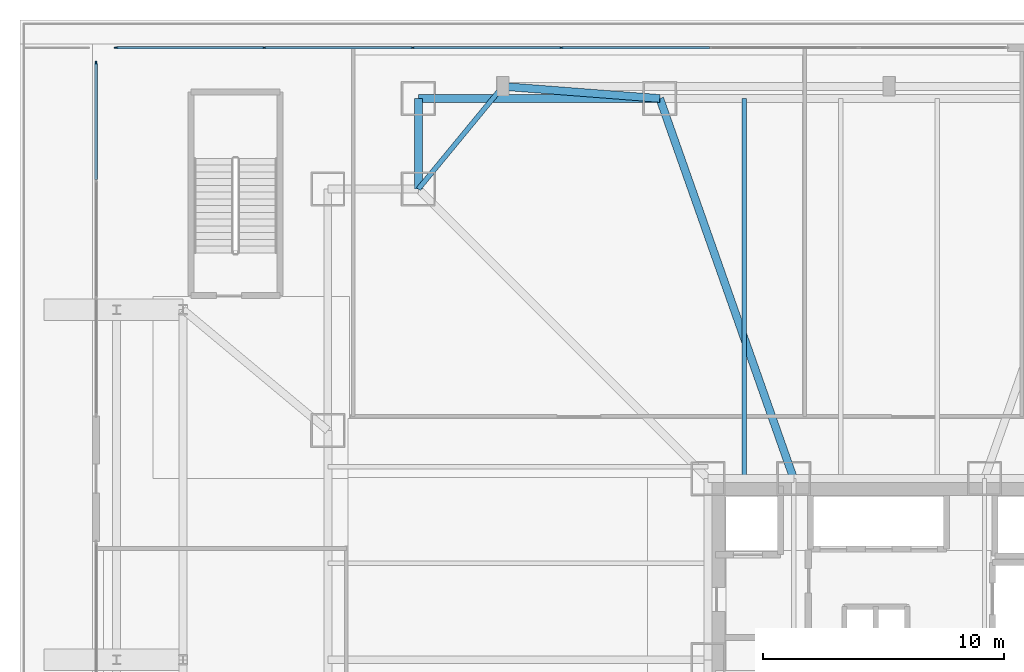
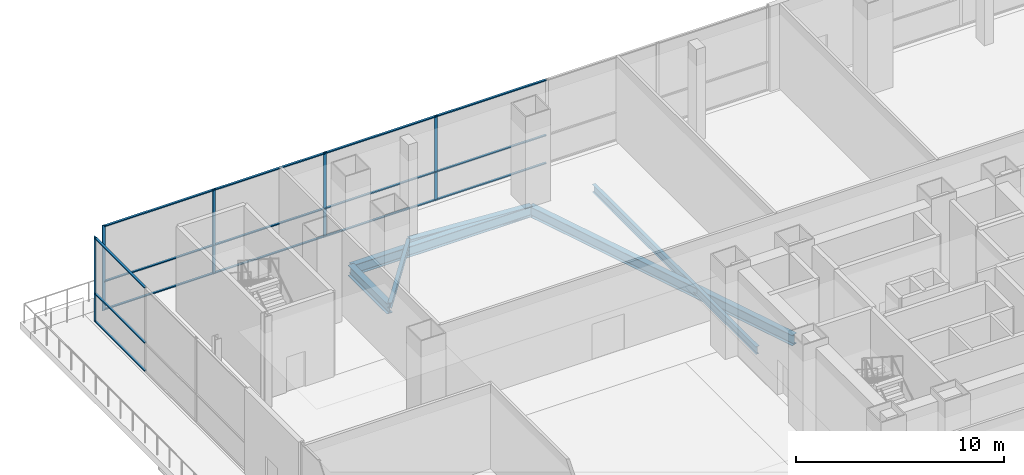
# One storey, part 13 of 36: 20 members, 6 beams, 2 elements without a shape of their own.
"""IFC4 building model written with IfcOpenShell, lengths in metres."""

from ifc_helpers import new_model, si_unit, direction, frame, origin, origin_2d, place, context, subcontext, project, spatial, rectangle, i_section, extrude, material, layer, layer_set, material_profile, profile_set, type_object, element, aggregate, save


model = new_model("IFC4")

# Units and contexts
model_context = context("Model", 3, precision=1e-05, world=origin(), true_north=direction((0.0, 1.0)))
body_context = subcontext(model_context, "Body", "Model", "MODEL_VIEW")
ifc_project = project(units=[si_unit("LENGTHUNIT", "METRE"), si_unit("AREAUNIT", "SQUARE_METRE"), si_unit("VOLUMEUNIT", "CUBIC_METRE"), si_unit("PLANEANGLEUNIT", "RADIAN"), si_unit("MASSUNIT", "GRAM", prefix="KILO")], contexts=[model_context])

# Site, building, storey
site_placement = place(None, origin())
site = spatial("IfcSite", under=ifc_project, at=site_placement, CompositionType="ELEMENT")
building_placement = place(site_placement, origin())
building = spatial("IfcBuilding", under=site, at=building_placement, Name="Trevonay Congress Spire", CompositionType="ELEMENT")
storey_placement = place(building_placement, frame((0.0, 0.0, 16.199951171875)))
storey = spatial("IfcBuildingStorey", under=building, at=storey_placement, Name="L03", CompositionType="ELEMENT", Elevation=16.199951171875)

# Beams
ifc_material_1 = material(Name="Steel ASTM A572 Grade 50", Category="steel")
ifc_material_profile_1 = material_profile(ifc_material_1, i_section(OverallWidth=0.324951171875, OverallDepth=0.615966796875, WebThickness=0.013916015625, FlangeThickness=0.021484375, FilletRadius=0.01806640625, at=origin_2d()), Name="W610x174")
ifc_profile_set_1 = profile_set([ifc_material_profile_1], Name="Steel ASTM A572 Grade 50")
beam_type_1 = type_object("IfcBeamType", Name="BM-GIRD-W610X174", PredefinedType="BEAM", material=ifc_profile_set_1)
beam_1_placement = place(storey_placement, frame((-19.5, 23.25, -0.7080078125), z_axis=(1.0, 0.0, 0.0), x_axis=(0.0, 1.0, 0.0)))
element("IfcBeam", 1, at=beam_1_placement, inside=storey, type_object=beam_type_1, Name="L03 structural beam BM-L03-MN1", PredefinedType="BEAM", context=body_context, shape_type="SweptSolid", body=[
    extrude(i_section(OverallWidth=0.324951171875, OverallDepth=0.615966796875, WebThickness=0.013916015625, FlangeThickness=0.021484375, FilletRadius=0.01806640625, at=origin_2d()), origin(), (0.0, 0.0, 1.0), 10.0),
])
beam_2_placement = place(storey_placement, frame((-19.5, 23.25, -0.7080078125), z_axis=(0.0, -1.0, 0.0), x_axis=(1.0, 0.0, 0.0)))
element("IfcBeam", 2, at=beam_2_placement, inside=storey, type_object=beam_type_1, Name="L03 structural beam BM-L03-CNW", PredefinedType="BEAM", context=body_context, shape_type="SweptSolid", body=[
    extrude(i_section(OverallWidth=0.324951171875, OverallDepth=0.615966796875, WebThickness=0.013916015625, FlangeThickness=0.021484375, FilletRadius=0.01806640625, at=origin_2d()), origin(), (0.0, 0.0, 1.0), 3.75),
])
beam_3_placement = place(storey_placement, frame((-3.949951171875, 7.5, -0.7080078125), z_axis=(-0.332352826786, 0.943155129619, 0.0), x_axis=(-0.943155129619, -0.332352826786, 0.0)))
element("IfcBeam", 3, at=beam_3_placement, inside=storey, type_object=beam_type_1, Name="L03 structural beam BM-L03-RAD-N1", PredefinedType="BEAM", context=body_context, shape_type="SweptSolid", body=[
    extrude(i_section(OverallWidth=0.324951171875, OverallDepth=0.615966796875, WebThickness=0.013916015625, FlangeThickness=0.021484375, FilletRadius=0.01806640625, at=origin_2d()), origin(), (0.0, 0.0, 1.0), 16.69921875),
])
beam_4_placement = place(storey_placement, frame((-9.5, 23.25, -0.7080078125), z_axis=(-0.997054485502, 0.076696498885, 0.0), x_axis=(-0.076696498885, -0.997054485502, 0.0)))
element("IfcBeam", 4, at=beam_4_placement, inside=storey, type_object=beam_type_1, Name="L03 structural beam BM-L03-PIL-TN1", PredefinedType="BEAM", context=body_context, shape_type="SweptSolid", body=[
    extrude(i_section(OverallWidth=0.324951171875, OverallDepth=0.615966796875, WebThickness=0.013916015625, FlangeThickness=0.021484375, FilletRadius=0.01806640625, at=origin_2d()), origin(), (0.0, 0.0, 1.0), 6.519287109375),
])

# Curtain wall, member
ifc_material_2 = material(Name="Pale Anodised Aluminium EN AW-6063-T6", Category="aluminium")
ifc_layer = layer(ifc_material_2, 0.179931640625, Name="Pale Anodised Aluminium EN AW-6063-T6")
ifc_layer_set = layer_set([ifc_layer], Name="Pale Anodised Aluminium EN AW-6063-T6")
curtain_wall_type = type_object("IfcCurtainWallType", Name="CW-SYS01-PODIUM-PALE-METAL", PredefinedType="NOTDEFINED", material=ifc_layer_set)
curtain_wall_1_placement = place(storey_placement, origin())
curtain_wall_1 = element("IfcCurtainWall", 5, at=curtain_wall_1_placement, inside=storey, type_object=curtain_wall_type, Name="L03 W2 podium curtain wall", PredefinedType="NOTDEFINED")
ifc_material_profile_2 = material_profile(ifc_material_2, rectangle(XDim=0.06005859375, YDim=0.159912109375, at=origin_2d()), Name="CW-MULLION-160-ALUMINIUM")
ifc_profile_set_2 = profile_set([ifc_material_profile_2], Name="Pale Anodised Aluminium EN AW-6063-T6")
member_type_1 = type_object("IfcMemberType", Name="CW-MULLION-160-ALUMINIUM", PredefinedType="MULLION", material=ifc_profile_set_2)
member_1_placement = place(storey_placement, frame((-32.85009765625, 24.719970703125, 0.0), z_axis=(0.0, 0.0, 1.0), x_axis=(-1.0, 0.0, 0.0)))
member_1 = element("IfcMember", 6, at=member_1_placement, type_object=member_type_1, Name="CW01 mullion 4", PredefinedType="MULLION", context=body_context, shape_type="SweptSolid", body=[
    extrude(rectangle(XDim=0.06005859375, YDim=0.159912109375, at=origin_2d()), origin(), (0.0, 0.0, 1.0), 5.0),
])

# Curtain wall, members
curtain_wall_2_placement = place(storey_placement, origin())
curtain_wall_2 = element("IfcCurtainWall", 7, at=curtain_wall_2_placement, inside=storey, type_object=curtain_wall_type, Name="L03 N1 podium curtain wall", PredefinedType="NOTDEFINED")
member_2_placement = place(storey_placement, frame((-32.02001953125, 25.35009765625, 0.0), z_axis=(0.0, 0.0, 1.0), x_axis=(0.0, 1.0, 0.0)))
member_2 = element("IfcMember", 8, at=member_2_placement, type_object=member_type_1, Name="CW01 mullion 1", PredefinedType="MULLION", context=body_context, shape_type="SweptSolid", body=[
    extrude(rectangle(XDim=0.06005859375, YDim=0.159912109375, at=origin_2d()), origin(), (0.0, 0.0, 1.0), 5.0),
])
member_3_placement = place(storey_placement, frame((-25.8916015625, 25.35009765625, 0.0), z_axis=(0.0, 0.0, 1.0), x_axis=(0.0, 1.0, 0.0)))
member_3 = element("IfcMember", 9, at=member_3_placement, type_object=member_type_1, Name="CW01 mullion 2", PredefinedType="MULLION", context=body_context, shape_type="SweptSolid", body=[
    extrude(rectangle(XDim=0.06005859375, YDim=0.159912109375, at=origin_2d()), origin(), (0.0, 0.0, 1.0), 5.0),
])
member_4_placement = place(storey_placement, frame((-19.7333984375, 25.35009765625, 0.0), z_axis=(0.0, 0.0, 1.0), x_axis=(0.0, 1.0, 0.0)))
member_4 = element("IfcMember", 10, at=member_4_placement, type_object=member_type_1, Name="CW01 mullion 3", PredefinedType="MULLION", context=body_context, shape_type="SweptSolid", body=[
    extrude(rectangle(XDim=0.06005859375, YDim=0.159912109375, at=origin_2d()), origin(), (0.0, 0.0, 1.0), 5.0),
])
member_5_placement = place(storey_placement, frame((-13.574951171875, 25.35009765625, 0.0), z_axis=(0.0, 0.0, 1.0), x_axis=(0.0, 1.0, 0.0)))
member_5 = element("IfcMember", 11, at=member_5_placement, type_object=member_type_1, Name="CW01 mullion 4", PredefinedType="MULLION", context=body_context, shape_type="SweptSolid", body=[
    extrude(rectangle(XDim=0.06005859375, YDim=0.159912109375, at=origin_2d()), origin(), (0.0, 0.0, 1.0), 5.0),
])

# Member
ifc_material_profile_3 = material_profile(ifc_material_2, rectangle(XDim=0.1201171875, YDim=0.06005859375, at=origin_2d()), Name="CW-TRANSOM-120-ALUMINIUM")
ifc_profile_set_3 = profile_set([ifc_material_profile_3], Name="Pale Anodised Aluminium EN AW-6063-T6")
member_type_2 = type_object("IfcMemberType", Name="CW-TRANSOM-120-ALUMINIUM", PredefinedType="USERDEFINED", material=ifc_profile_set_3)
member_6_placement = place(storey_placement, frame((-32.85009765625, 19.896728515625, 0.06005859375), z_axis=(0.0, 1.0, 0.0), x_axis=(-1.0, 0.0, 0.0)))
member_6 = element("IfcMember", 12, at=member_6_placement, type_object=member_type_2, Name="CW01 transom 3.1", ObjectType="TRANSOM", PredefinedType="USERDEFINED", context=body_context, shape_type="SweptSolid", body=[
    extrude(rectangle(XDim=0.1201171875, YDim=0.06005859375, at=origin_2d()), origin(), (0.0, 0.0, 1.0), 4.793212890625),
])

member_7_placement = place(storey_placement, frame((-32.85009765625, 19.896728515625, 1.699951171875), z_axis=(0.0, 1.0, 0.0), x_axis=(-1.0, 0.0, 0.0)))
member_7 = element("IfcMember", 13, at=member_7_placement, type_object=member_type_2, Name="CW01 transom 3.2", ObjectType="TRANSOM", PredefinedType="USERDEFINED", context=body_context, shape_type="SweptSolid", body=[
    extrude(rectangle(XDim=0.1201171875, YDim=0.06005859375, at=origin_2d()), origin(), (0.0, 0.0, 1.0), 4.793212890625),
])

member_8_placement = place(storey_placement, frame((-32.85009765625, 19.896728515625, 4.93994140625), z_axis=(0.0, 1.0, 0.0), x_axis=(-1.0, 0.0, 0.0)))
member_8 = element("IfcMember", 14, at=member_8_placement, type_object=member_type_2, Name="CW01 transom 3.3", ObjectType="TRANSOM", PredefinedType="USERDEFINED", context=body_context, shape_type="SweptSolid", body=[
    extrude(rectangle(XDim=0.1201171875, YDim=0.06005859375, at=origin_2d()), origin(), (0.0, 0.0, 1.0), 4.793212890625),
])

aggregate(curtain_wall_1, [member_1, member_6, member_7, member_8])

member_9_placement = place(storey_placement, frame((-31.989990234375, 25.35009765625, 0.06005859375), z_axis=(1.0, 0.0, 0.0), x_axis=(0.0, 1.0, 0.0)))
member_9 = element("IfcMember", 15, at=member_9_placement, type_object=member_type_2, Name="CW01 transom 1.1", ObjectType="TRANSOM", PredefinedType="USERDEFINED", context=body_context, shape_type="SweptSolid", body=[
    extrude(rectangle(XDim=0.1201171875, YDim=0.06005859375, at=origin_2d()), origin(), (0.0, 0.0, 1.0), 6.068359375),
])

member_10_placement = place(storey_placement, frame((-31.989990234375, 25.35009765625, 1.699951171875), z_axis=(1.0, 0.0, 0.0), x_axis=(0.0, 1.0, 0.0)))
member_10 = element("IfcMember", 16, at=member_10_placement, type_object=member_type_2, Name="CW01 transom 1.2", ObjectType="TRANSOM", PredefinedType="USERDEFINED", context=body_context, shape_type="SweptSolid", body=[
    extrude(rectangle(XDim=0.1201171875, YDim=0.06005859375, at=origin_2d()), origin(), (0.0, 0.0, 1.0), 6.068359375),
])

member_11_placement = place(storey_placement, frame((-31.989990234375, 25.35009765625, 4.93994140625), z_axis=(1.0, 0.0, 0.0), x_axis=(0.0, 1.0, 0.0)))
member_11 = element("IfcMember", 17, at=member_11_placement, type_object=member_type_2, Name="CW01 transom 1.3", ObjectType="TRANSOM", PredefinedType="USERDEFINED", context=body_context, shape_type="SweptSolid", body=[
    extrude(rectangle(XDim=0.1201171875, YDim=0.06005859375, at=origin_2d()), origin(), (0.0, 0.0, 1.0), 6.068359375),
])

member_12_placement = place(storey_placement, frame((-25.861572265625, 25.35009765625, 0.06005859375), z_axis=(1.0, 0.0, 0.0), x_axis=(0.0, 1.0, 0.0)))
member_12 = element("IfcMember", 18, at=member_12_placement, type_object=member_type_2, Name="CW01 transom 2.1", ObjectType="TRANSOM", PredefinedType="USERDEFINED", context=body_context, shape_type="SweptSolid", body=[
    extrude(rectangle(XDim=0.1201171875, YDim=0.06005859375, at=origin_2d()), origin(), (0.0, 0.0, 1.0), 6.09814453125),
])

member_13_placement = place(storey_placement, frame((-25.861572265625, 25.35009765625, 1.699951171875), z_axis=(1.0, 0.0, 0.0), x_axis=(0.0, 1.0, 0.0)))
member_13 = element("IfcMember", 19, at=member_13_placement, type_object=member_type_2, Name="CW01 transom 2.2", ObjectType="TRANSOM", PredefinedType="USERDEFINED", context=body_context, shape_type="SweptSolid", body=[
    extrude(rectangle(XDim=0.1201171875, YDim=0.06005859375, at=origin_2d()), origin(), (0.0, 0.0, 1.0), 6.09814453125),
])

member_14_placement = place(storey_placement, frame((-25.861572265625, 25.35009765625, 4.93994140625), z_axis=(1.0, 0.0, 0.0), x_axis=(0.0, 1.0, 0.0)))
member_14 = element("IfcMember", 20, at=member_14_placement, type_object=member_type_2, Name="CW01 transom 2.3", ObjectType="TRANSOM", PredefinedType="USERDEFINED", context=body_context, shape_type="SweptSolid", body=[
    extrude(rectangle(XDim=0.1201171875, YDim=0.06005859375, at=origin_2d()), origin(), (0.0, 0.0, 1.0), 6.09814453125),
])

member_15_placement = place(storey_placement, frame((-19.703369140625, 25.35009765625, 0.06005859375), z_axis=(1.0, 0.0, 0.0), x_axis=(0.0, 1.0, 0.0)))
member_15 = element("IfcMember", 21, at=member_15_placement, type_object=member_type_2, Name="CW01 transom 3.1", ObjectType="TRANSOM", PredefinedType="USERDEFINED", context=body_context, shape_type="SweptSolid", body=[
    extrude(rectangle(XDim=0.1201171875, YDim=0.06005859375, at=origin_2d()), origin(), (0.0, 0.0, 1.0), 6.098388671875),
])

member_16_placement = place(storey_placement, frame((-19.703369140625, 25.35009765625, 1.699951171875), z_axis=(1.0, 0.0, 0.0), x_axis=(0.0, 1.0, 0.0)))
member_16 = element("IfcMember", 22, at=member_16_placement, type_object=member_type_2, Name="CW01 transom 3.2", ObjectType="TRANSOM", PredefinedType="USERDEFINED", context=body_context, shape_type="SweptSolid", body=[
    extrude(rectangle(XDim=0.1201171875, YDim=0.06005859375, at=origin_2d()), origin(), (0.0, 0.0, 1.0), 6.098388671875),
])

member_17_placement = place(storey_placement, frame((-19.703369140625, 25.35009765625, 4.93994140625), z_axis=(1.0, 0.0, 0.0), x_axis=(0.0, 1.0, 0.0)))
member_17 = element("IfcMember", 23, at=member_17_placement, type_object=member_type_2, Name="CW01 transom 3.3", ObjectType="TRANSOM", PredefinedType="USERDEFINED", context=body_context, shape_type="SweptSolid", body=[
    extrude(rectangle(XDim=0.1201171875, YDim=0.06005859375, at=origin_2d()), origin(), (0.0, 0.0, 1.0), 6.098388671875),
])

member_18_placement = place(storey_placement, frame((-13.544921875, 25.35009765625, 0.06005859375), z_axis=(1.0, 0.0, 0.0), x_axis=(0.0, 1.0, 0.0)))
member_18 = element("IfcMember", 24, at=member_18_placement, type_object=member_type_2, Name="CW01 transom 4.1", ObjectType="TRANSOM", PredefinedType="USERDEFINED", context=body_context, shape_type="SweptSolid", body=[
    extrude(rectangle(XDim=0.1201171875, YDim=0.06005859375, at=origin_2d()), origin(), (0.0, 0.0, 1.0), 6.09814453125),
])

member_19_placement = place(storey_placement, frame((-13.544921875, 25.35009765625, 1.699951171875), z_axis=(1.0, 0.0, 0.0), x_axis=(0.0, 1.0, 0.0)))
member_19 = element("IfcMember", 25, at=member_19_placement, type_object=member_type_2, Name="CW01 transom 4.2", ObjectType="TRANSOM", PredefinedType="USERDEFINED", context=body_context, shape_type="SweptSolid", body=[
    extrude(rectangle(XDim=0.1201171875, YDim=0.06005859375, at=origin_2d()), origin(), (0.0, 0.0, 1.0), 6.09814453125),
])

member_20_placement = place(storey_placement, frame((-13.544921875, 25.35009765625, 4.93994140625), z_axis=(1.0, 0.0, 0.0), x_axis=(0.0, 1.0, 0.0)))
member_20 = element("IfcMember", 26, at=member_20_placement, type_object=member_type_2, Name="CW01 transom 4.3", ObjectType="TRANSOM", PredefinedType="USERDEFINED", context=body_context, shape_type="SweptSolid", body=[
    extrude(rectangle(XDim=0.1201171875, YDim=0.06005859375, at=origin_2d()), origin(), (0.0, 0.0, 1.0), 6.09814453125),
])

aggregate(curtain_wall_2, [member_2, member_3, member_4, member_5, member_9, member_10, member_11, member_12, member_13, member_14, member_15, member_16, member_17, member_18, member_19, member_20])

# Beams
ifc_material_profile_4 = material_profile(ifc_material_1, i_section(OverallWidth=0.18994140625, OverallDepth=0.45703125, WebThickness=0.009033203125, FlangeThickness=0.014404296875, FilletRadius=0.013916015625, at=origin_2d()), Name="W460x74")
ifc_profile_set_4 = profile_set([ifc_material_profile_4], Name="Steel ASTM A572 Grade 50")
beam_type_2 = type_object("IfcBeamType", Name="JS-COMP-W460X74", PredefinedType="JOIST", material=ifc_profile_set_4)
beam_5_placement = place(storey_placement, frame((-6.0, 7.5, -0.62841796875), z_axis=(0.0, 1.0, 0.0), x_axis=(-1.0, 0.0, 0.0)))
element("IfcBeam", 27, at=beam_5_placement, inside=storey, type_object=beam_type_2, Name="L03 structural beam JS-L03-NH1", PredefinedType="JOIST", context=body_context, shape_type="SweptSolid", body=[
    extrude(i_section(OverallWidth=0.18994140625, OverallDepth=0.45703125, WebThickness=0.009033203125, FlangeThickness=0.014404296875, FilletRadius=0.013916015625, at=origin_2d()), origin(), (0.0, 0.0, 1.0), 15.75),
])
ifc_material_profile_5 = material_profile(ifc_material_1, i_section(OverallWidth=0.2041015625, OverallDepth=0.305908203125, WebThickness=0.008544921875, FlangeThickness=0.0146484375, FilletRadius=0.010986328125, at=origin_2d()), Name="W310x67")
ifc_profile_set_5 = profile_set([ifc_material_profile_5], Name="Steel ASTM A572 Grade 50")
beam_type_3 = type_object("IfcBeamType", Name="SPB-W310X67", PredefinedType="SPANDREL", material=ifc_profile_set_5)
beam_6_placement = place(storey_placement, frame((-16.0, 23.75, -0.552978515625), z_axis=(-0.635707252861, -0.771930235617, 0.0), x_axis=(0.771930235617, -0.635707252861, 0.0)))
element("IfcBeam", 28, at=beam_6_placement, inside=storey, type_object=beam_type_3, Name="L03 structural beam SPB-L03-NW", PredefinedType="SPANDREL", context=body_context, shape_type="SweptSolid", body=[
    extrude(i_section(OverallWidth=0.2041015625, OverallDepth=0.305908203125, WebThickness=0.008544921875, FlangeThickness=0.0146484375, FilletRadius=0.010986328125, at=origin_2d()), origin(), (0.0, 0.0, 1.0), 5.505615234375),
])

save(model, "model.ifc")
